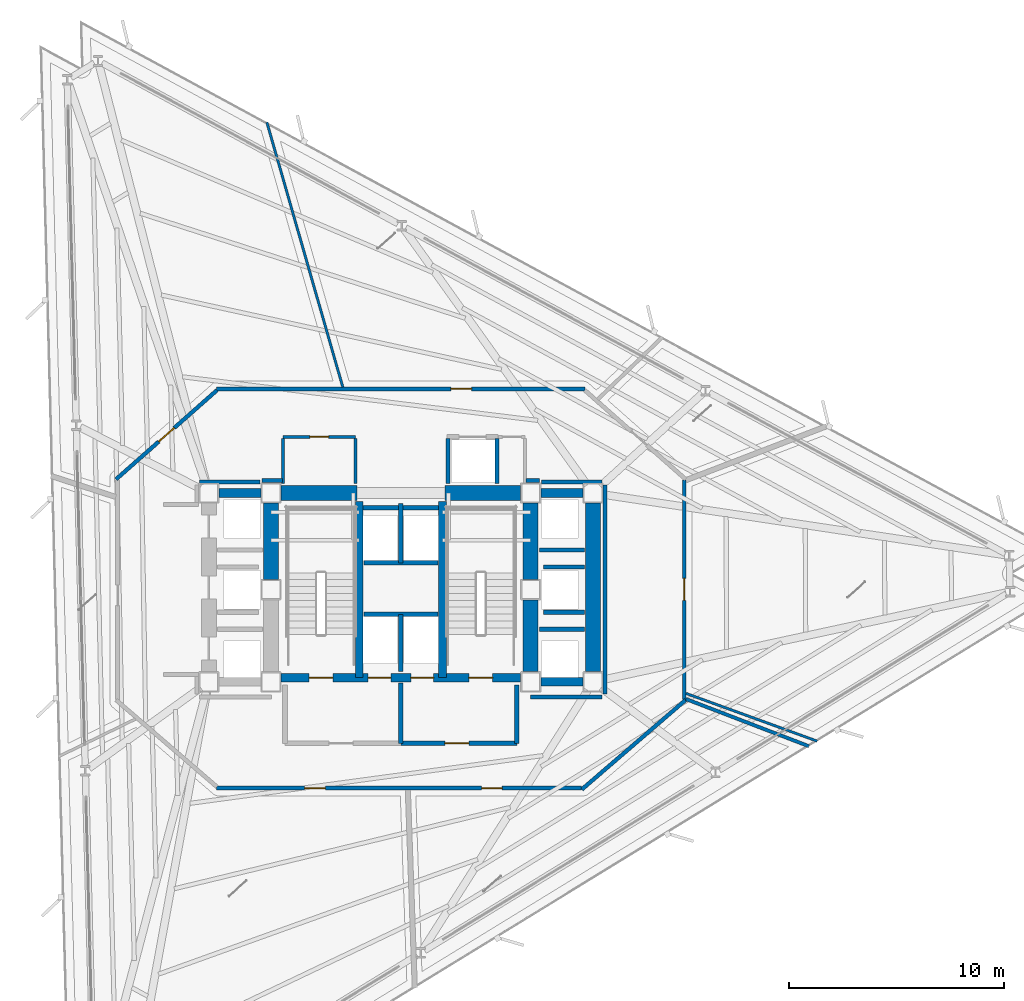
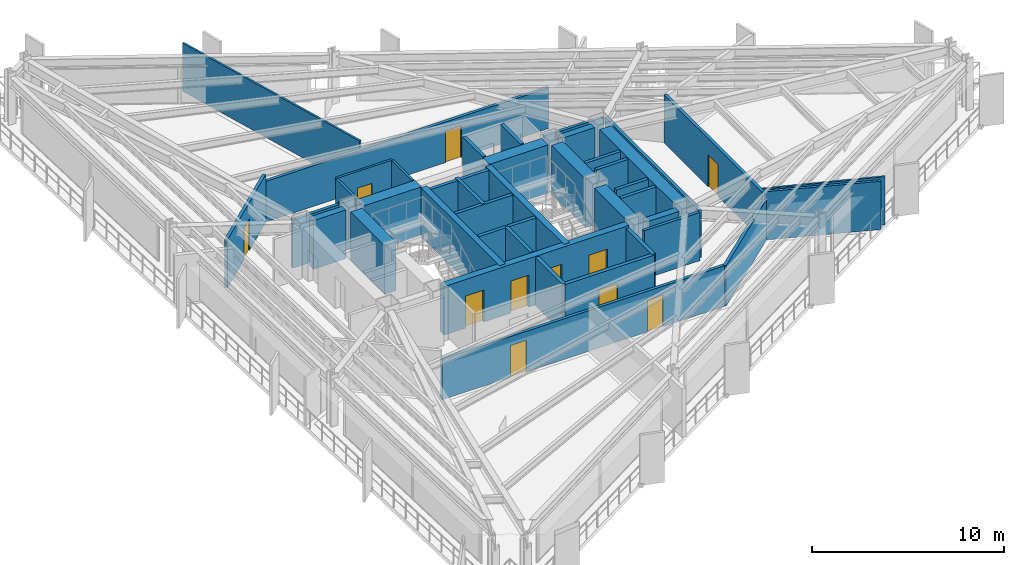
# One storey, part 8 of 14: 43 walls, 11 doors, 11 openings.
"""IFC4 building model written with IfcOpenShell, lengths in metres."""

from ifc_helpers import new_model, si_unit, direction, frame, frame_2d, origin, place, context, subcontext, project, spatial, rectangle, extrude, material, layer, layer_set, type_object, element, fill, save


model = new_model("IFC4")

# Units and contexts
model_context = context("Model", 3, precision=1e-05, world=origin(), true_north=direction((0.0, 1.0)))
body_context = subcontext(model_context, "Body", "Model", "MODEL_VIEW")
ifc_project = project(units=[si_unit("LENGTHUNIT", "METRE"), si_unit("AREAUNIT", "SQUARE_METRE"), si_unit("VOLUMEUNIT", "CUBIC_METRE"), si_unit("PLANEANGLEUNIT", "RADIAN"), si_unit("MASSUNIT", "GRAM", prefix="KILO")], contexts=[model_context])

# Site, building, storey
site_placement = place(None, origin())
site = spatial("IfcSite", under=ifc_project, at=site_placement, CompositionType="ELEMENT")
building_placement = place(site_placement, origin())
building = spatial("IfcBuilding", under=site, at=building_placement, Name="Rocaltana Carrier Exchange", CompositionType="ELEMENT")
storey_placement = place(building_placement, frame((0.0, 0.0, 22.239990234375)))
storey = spatial("IfcBuildingStorey", under=building, at=storey_placement, Name="L07", CompositionType="ELEMENT", Elevation=22.239990234375)

# Walls
ifc_material_1 = material(Name="Double Acoustic Gypsum Partition", Category="gypsum")
ifc_layer_1 = layer(ifc_material_1, 0.159912109375)
ifc_layer_set_1 = layer_set([ifc_layer_1], Name="Double Acoustic Gypsum Partition")
wall_type_1 = type_object("IfcWallType", Name="Acoustic Studio Partition 160 EI60", PredefinedType="PARTITIONING", material=ifc_layer_set_1)
wall_1_placement = place(storey_placement, frame((13.280029296875, -5.09765625, 0.0), z_axis=(0.0, 0.0, 1.0), x_axis=(0.933574999212, -0.358382087787, 0.0)))
element("IfcWall", 1, at=wall_1_placement, inside=storey, type_object=wall_type_1, Name="L07 Suite Divider Wall D3", PredefinedType="PARTITIONING", context=body_context, shape_type="SweptSolid", body=[
    extrude(rectangle(XDim=6.13916015625, YDim=0.159912109375, at=frame_2d((3.069580078125, 0.0))), origin(), (0.0, 0.0, 1.0), 3.072998046875),
])
ifc_material_2 = material(Name="Concrete C50/60", Category="concrete")
ifc_layer_2 = layer(ifc_material_2, 0.35009765625)
ifc_layer_set_2 = layer_set([ifc_layer_2], Name="Concrete C50/60")
wall_type_2 = type_object("IfcWallType", Name="Core Internal Shear Wall 350", PredefinedType="SHEAR", material=ifc_layer_set_2)
for number, where, z_axis, x_axis, name in (
    (2, (-1.93994140625, -4.10009765625, 0.0), (0.0, 0.0, 1.0), (0.0, 1.0, 0.0), "L07 Core Shear Wall CW-STW"),
    (3, (1.93994140625, -4.10009765625, 0.0), (0.0, 0.0, 1.0), (0.0, 1.0, 0.0), "L07 Core Shear Wall CW-STE"),
):
    element("IfcWall", number, at=place(storey_placement, frame(where, z_axis=z_axis, x_axis=x_axis)), inside=storey, type_object=wall_type_2, Name=name, PredefinedType="SHEAR", context=body_context, shape_type="SweptSolid", body=[
        extrude(rectangle(XDim=8.2001953125, YDim=0.35009765625, at=frame_2d((4.10009765625, 0.0))), origin(), (0.0, 0.0, 1.0), 3.097900390625),
    ])

# Wall, openings, doors
ifc_material_3 = material(Name="Concrete C50/60", Category="concrete")
ifc_layer_3 = layer(ifc_material_3, 0.39990234375)
ifc_layer_set_3 = layer_set([ifc_layer_3], Name="Concrete C50/60")
wall_type_3 = type_object("IfcWallType", Name="Core Internal Shear Wall 400", PredefinedType="SHEAR", material=ifc_layer_set_3)
wall_2_placement = place(storey_placement, frame((-5.574951171875, -4.10009765625, 0.0), z_axis=(0.0, 0.0, 1.0), x_axis=(1.0, 0.0, 0.0)))
wall_2 = element("IfcWall", 4, at=wall_2_placement, inside=storey, type_object=wall_type_3, Name="L07 Core Shear Wall CW-S", PredefinedType="SHEAR", context=body_context, shape_type="SweptSolid", body=[
    extrude(rectangle(XDim=11.14990234375, YDim=0.39990234375, at=frame_2d((5.574951171875, 0.0))), origin(), (0.0, 0.0, 1.0), 3.097900390625),
])
opening_1_placement = place(wall_2_placement, frame((1.304931640625, 0.0, 0.0)))
opening_1 = element("IfcOpeningElement", 5, at=opening_1_placement, cuts=wall_2, Name="Opening D-ST110", PredefinedType="OPENING", context=body_context, shape_type="SweptSolid", body=[
    extrude(rectangle(XDim=1.10009765625, YDim=2.0400390625, at=frame_2d((0.550048828125, 1.02001953125))), frame((0.0, 0.2099609375, 0.0), z_axis=(0.0, -1.0, 0.0), x_axis=(1.0, 0.0, 0.0)), (0.0, 0.0, 1.0), 0.419921875),
])
opening_2_placement = place(wall_2_placement, frame((8.7451171875, 0.0, 0.0)))
opening_2 = element("IfcOpeningElement", 6, at=opening_2_placement, cuts=wall_2, Name="Opening D-ST110", PredefinedType="OPENING", context=body_context, shape_type="SweptSolid", body=[
    extrude(rectangle(XDim=1.10009765625, YDim=2.0400390625, at=frame_2d((0.550048828125, 1.02001953125))), frame((0.0, 0.2099609375, 0.0), z_axis=(0.0, -1.0, 0.0), x_axis=(1.0, 0.0, 0.0)), (0.0, 0.0, 1.0), 0.419921875),
])
opening_3_placement = place(wall_2_placement, frame((4.044921875, 0.0, 0.0)))
opening_3 = element("IfcOpeningElement", 7, at=opening_3_placement, cuts=wall_2, Name="Opening LD-110", PredefinedType="OPENING", context=body_context, shape_type="SweptSolid", body=[
    extrude(rectangle(XDim=1.06005859375, YDim=2.0400390625, at=frame_2d((0.530029296875, 1.02001953125))), frame((0.0, 0.2099609375, 0.0), z_axis=(0.0, -1.0, 0.0), x_axis=(1.0, 0.0, 0.0)), (0.0, 0.0, 1.0), 0.419921875),
])
opening_4_placement = place(wall_2_placement, frame((6.044921875, 0.0, 0.0)))
opening_4 = element("IfcOpeningElement", 8, at=opening_4_placement, cuts=wall_2, Name="Opening LD-110", PredefinedType="OPENING", context=body_context, shape_type="SweptSolid", body=[
    extrude(rectangle(XDim=1.06005859375, YDim=2.0400390625, at=frame_2d((0.530029296875, 1.02001953125))), frame((0.0, 0.2099609375, 0.0), z_axis=(0.0, -1.0, 0.0), x_axis=(1.0, 0.0, 0.0)), (0.0, 0.0, 1.0), 0.419921875),
])
ifc_material_4 = material(Name="Hollow Metal Fire Door Assembly", Category="steel")
door_type_1 = type_object("IfcDoorType", Name="Exit Stair Fire Door 1100x2040 FD90S", OperationType="NOTDEFINED", PredefinedType="DOOR", material=ifc_material_4)
door_1_placement = place(opening_1_placement, origin())
door_1 = element("IfcDoor", 9, at=door_1_placement, inside=storey, type_object=door_type_1, Name="L07 Exit Stair ST1 Fire Door", OperationType="SINGLE_SWING_RIGHT", OverallHeight=2.0400390625, OverallWidth=1.10009765625, PredefinedType="DOOR", context=body_context, shape_type="SweptSolid", body=[
    extrude(rectangle(XDim=1.10009765625, YDim=2.0400390625, at=frame_2d((0.550048828125, 1.02001953125))), frame((0.0, 0.02490234375, 0.0), z_axis=(0.0, -1.0, 0.0), x_axis=(1.0, 0.0, 0.0)), (0.0, 0.0, 1.0), 0.050048828125),
])
fill(opening_1, door_1)
door_2_placement = place(opening_2_placement, origin())
door_2 = element("IfcDoor", 10, at=door_2_placement, inside=storey, type_object=door_type_1, Name="L07 Exit Stair ST2 Fire Door", OperationType="SINGLE_SWING_LEFT", OverallHeight=2.0400390625, OverallWidth=1.10009765625, PredefinedType="DOOR", context=body_context, shape_type="SweptSolid", body=[
    extrude(rectangle(XDim=1.10009765625, YDim=2.0400390625, at=frame_2d((0.550048828125, 1.02001953125))), frame((0.0, 0.02490234375, 0.0), z_axis=(0.0, -1.0, 0.0), x_axis=(1.0, 0.0, 0.0)), (0.0, 0.0, 1.0), 0.050048828125),
])
fill(opening_2, door_2)
ifc_material_5 = material(Name="Brushed Stainless Sliding Door Leaf", Category="steel")
door_type_2 = type_object("IfcDoorType", Name="Lift Landing Sliding Door 1060x2040", OperationType="NOTDEFINED", PredefinedType="DOOR", material=ifc_material_5)
door_3_placement = place(opening_3_placement, origin())
door_3 = element("IfcDoor", 11, at=door_3_placement, inside=storey, type_object=door_type_2, Name="L07 Firefighting Lift FFL1 Landing Door", OperationType="SLIDING_TO_LEFT", OverallHeight=2.0400390625, OverallWidth=1.06005859375, PredefinedType="DOOR", context=body_context, shape_type="SweptSolid", body=[
    extrude(rectangle(XDim=1.06005859375, YDim=2.0400390625, at=frame_2d((0.530029296875, 1.02001953125))), frame((0.0, 0.02490234375, 0.0), z_axis=(0.0, -1.0, 0.0), x_axis=(1.0, 0.0, 0.0)), (0.0, 0.0, 1.0), 0.050048828125),
])
fill(opening_3, door_3)
door_4_placement = place(opening_4_placement, origin())
door_4 = element("IfcDoor", 12, at=door_4_placement, inside=storey, type_object=door_type_2, Name="L07 Firefighting Lift FFL2 Landing Door", OperationType="SLIDING_TO_RIGHT", OverallHeight=2.0400390625, OverallWidth=1.06005859375, PredefinedType="DOOR", context=body_context, shape_type="SweptSolid", body=[
    extrude(rectangle(XDim=1.06005859375, YDim=2.0400390625, at=frame_2d((0.530029296875, 1.02001953125))), frame((0.0, 0.02490234375, 0.0), z_axis=(0.0, -1.0, 0.0), x_axis=(1.0, 0.0, 0.0)), (0.0, 0.0, 1.0), 0.050048828125),
])
fill(opening_4, door_4)

# Walls
for number, where, z_axis, x_axis, name in (
    (13, (-8.47509765625, 4.5, 0.0), (0.0, 0.0, 1.0), (1.0, 0.0, 0.0), "L07 Core Shear Wall CW-WWN"),
    (14, (6.52490234375, 4.5, 0.0), (0.0, 0.0, 1.0), (1.0, 0.0, 0.0), "L07 Core Shear Wall CW-EWN"),
    (15, (6.52490234375, -4.300048828125, 0.0), (0.0, 0.0, 1.0), (1.0, 0.0, 0.0), "L07 Core Shear Wall CW-EWS"),
):
    element("IfcWall", number, at=place(storey_placement, frame(where, z_axis=z_axis, x_axis=x_axis)), inside=storey, type_object=wall_type_3, Name=name, PredefinedType="SHEAR", context=body_context, shape_type="SweptSolid", body=[
        extrude(rectangle(XDim=1.9501953125, YDim=0.39990234375, at=frame_2d((0.97509765625, 0.0))), origin(), (0.0, 0.0, 1.0), 3.097900390625),
    ])
ifc_material_6 = material(Name="Concrete C60/75", Category="concrete")
ifc_layer_4 = layer(ifc_material_6, 0.699951171875)
ifc_layer_set_4 = layer_set([ifc_layer_4], Name="Concrete C60/75")
wall_type_4 = type_object("IfcWallType", Name="Core Shear Wall 700", PredefinedType="SHEAR", material=ifc_layer_set_4)
for number, where, z_axis, x_axis, name in (
    (16, (-6.050048828125, 0.47509765625, 0.0), (0.0, 0.0, 1.0), (0.0, 1.0, 0.0), "L07 Core Shear Wall CW-WN"),
    (17, (6.050048828125, 0.47509765625, 0.0), (0.0, 0.0, 1.0), (0.0, 1.0, 0.0), "L07 Core Shear Wall CW-EN"),
):
    element("IfcWall", number, at=place(storey_placement, frame(where, z_axis=z_axis, x_axis=x_axis)), inside=storey, type_object=wall_type_4, Name=name, PredefinedType="SHEAR", context=body_context, shape_type="SweptSolid", body=[
        extrude(rectangle(XDim=3.5498046875, YDim=0.699951171875, at=frame_2d((1.77490234375, 0.0))), origin(), (0.0, 0.0, 1.0), 3.097900390625),
    ])
wall_3_placement = place(storey_placement, frame((6.050048828125, -3.824951171875, 0.0), z_axis=(0.0, 0.0, 1.0), x_axis=(0.0, 1.0, 0.0)))
element("IfcWall", 18, at=wall_3_placement, inside=storey, type_object=wall_type_4, Name="L07 Core Shear Wall CW-ES", PredefinedType="SHEAR", context=body_context, shape_type="SweptSolid", body=[
    extrude(rectangle(XDim=3.349853515625, YDim=0.699951171875, at=frame_2d((1.6748046875, 0.0))), origin(), (0.0, 0.0, 1.0), 3.097900390625),
])
for number, where, z_axis, x_axis, name in (
    (19, (-5.574951171875, 4.5, 0.0), (0.0, 0.0, 1.0), (1.0, 0.0, 0.0), "L07 Core Shear Wall CW-N1"),
    (20, (2.050048828125, 4.5, 0.0), (0.0, 0.0, 1.0), (1.0, 0.0, 0.0), "L07 Core Shear Wall CW-N2"),
):
    element("IfcWall", number, at=place(storey_placement, frame(where, z_axis=z_axis, x_axis=x_axis)), inside=storey, type_object=wall_type_4, Name=name, PredefinedType="SHEAR", context=body_context, shape_type="SweptSolid", body=[
        extrude(rectangle(XDim=3.52490234375, YDim=0.699951171875, at=frame_2d((1.762451171875, 0.0))), origin(), (0.0, 0.0, 1.0), 3.097900390625),
    ])
wall_4_placement = place(storey_placement, frame((8.949951171875, -3.824951171875, 0.0), z_axis=(0.0, 0.0, 1.0), x_axis=(0.0, 1.0, 0.0)))
element("IfcWall", 21, at=wall_4_placement, inside=storey, type_object=wall_type_4, Name="L07 Core Shear Wall CW-EW", PredefinedType="SHEAR", context=body_context, shape_type="SweptSolid", body=[
    extrude(rectangle(XDim=7.849853515625, YDim=0.699951171875, at=frame_2d((3.9248046875, 0.0))), origin(), (0.0, 0.0, 1.0), 3.097900390625),
])

# Wall, opening, door
ifc_material_7 = material(Name="Gypsum & Steel Stud Partition", Category="steel")
ifc_layer_5 = layer(ifc_material_7, 0.179931640625)
ifc_layer_set_5 = layer_set([ifc_layer_5], Name="Gypsum & Steel Stud Partition")
wall_type_5 = type_object("IfcWallType", Name="Corridor Fire Partition 180 EI60", PredefinedType="PARTITIONING", material=ifc_layer_set_5)
wall_5_placement = place(storey_placement, frame((-8.590087890625, 9.35009765625, 0.0), z_axis=(0.0, 0.0, 1.0), x_axis=(1.0, 0.0, 0.0)))
wall_5 = element("IfcWall", 22, at=wall_5_placement, inside=storey, type_object=wall_type_5, Name="L07 Corridor Partition 1", PredefinedType="PARTITIONING", context=body_context, shape_type="SweptSolid", body=[
    extrude(rectangle(XDim=17.18017578125, YDim=0.179931640625, at=frame_2d((8.590087890625, 0.0))), origin(), (0.0, 0.0, 1.0), 2.5869140625),
])
opening_5_placement = place(wall_5_placement, frame((10.924072265625, 0.0, 0.0)))
opening_5 = element("IfcOpeningElement", 23, at=opening_5_placement, cuts=wall_5, Name="Opening D-RM098", PredefinedType="OPENING", context=body_context, shape_type="SweptSolid", body=[
    extrude(rectangle(XDim=0.9599609375, YDim=2.02001953125, at=frame_2d((0.47998046875, 1.010009765625))), frame((0.0, 0.099853515625, 0.0), z_axis=(0.0, -1.0, 0.0), x_axis=(1.0, 0.0, 0.0)), (0.0, 0.0, 1.0), 0.199951171875),
])
ifc_material_8 = material(Name="Engineered Hardwood Timber", Category="wood")
door_type_3 = type_object("IfcDoorType", Name="Workspace Single Door 960x2020", OperationType="NOTDEFINED", PredefinedType="DOOR", material=ifc_material_8)
door_5_placement = place(opening_5_placement, origin())
door_5 = element("IfcDoor", 24, at=door_5_placement, inside=storey, type_object=door_type_3, Name="L07 Network Operations Office Entrance Door", OperationType="SINGLE_SWING_LEFT", OverallHeight=2.02001953125, OverallWidth=0.9599609375, PredefinedType="DOOR", context=body_context, shape_type="SweptSolid", body=[
    extrude(rectangle(XDim=0.9599609375, YDim=2.02001953125, at=frame_2d((0.47998046875, 1.010009765625))), frame((0.0, 0.02490234375, 0.0), z_axis=(0.0, -1.0, 0.0), x_axis=(1.0, 0.0, 0.0)), (0.0, 0.0, 1.0), 0.050048828125),
])
fill(opening_5, door_5)

wall_6_placement = place(storey_placement, frame((13.199951171875, 5.110107421875, 0.0), z_axis=(0.0, 0.0, 1.0), x_axis=(0.0, -1.0, 0.0)))
wall_6 = element("IfcWall", 25, at=wall_6_placement, inside=storey, type_object=wall_type_5, Name="L07 Corridor Partition 3", PredefinedType="PARTITIONING", context=body_context, shape_type="SweptSolid", body=[
    extrude(rectangle(XDim=10.22021484375, YDim=0.179931640625, at=frame_2d((5.110107421875, 0.0))), origin(), (0.0, 0.0, 1.0), 3.072998046875),
])
opening_6_placement = place(wall_6_placement, frame((4.5908203125, 0.0, 0.0)))
opening_6 = element("IfcOpeningElement", 26, at=opening_6_placement, cuts=wall_6, Name="Opening D-LB104", PredefinedType="OPENING", context=body_context, shape_type="SweptSolid", body=[
    extrude(rectangle(XDim=1.02001953125, YDim=2.02001953125, at=frame_2d((0.510009765625, 1.010009765625))), frame((0.0, 0.099853515625, 0.0), z_axis=(0.0, -1.0, 0.0), x_axis=(1.0, 0.0, 0.0)), (0.0, 0.0, 1.0), 0.199951171875),
])
ifc_material_9 = material(Name="Powder-Coated Aluminium 6063-T6", Category="aluminium")
door_type_4 = type_object("IfcDoorType", Name="Laboratory Acoustic Door 1020x2020", OperationType="NOTDEFINED", PredefinedType="DOOR", material=ifc_material_9)
door_6_placement = place(opening_6_placement, origin())
door_6 = element("IfcDoor", 27, at=door_6_placement, inside=storey, type_object=door_type_4, Name="L07 Optical Switching Laboratory Entrance Door", OperationType="SINGLE_SWING_LEFT", OverallHeight=2.02001953125, OverallWidth=1.02001953125, PredefinedType="DOOR", context=body_context, shape_type="SweptSolid", body=[
    extrude(rectangle(XDim=1.02001953125, YDim=2.02001953125, at=frame_2d((0.510009765625, 1.010009765625))), frame((0.0, 0.02490234375, 0.0), z_axis=(0.0, -1.0, 0.0), x_axis=(1.0, 0.0, 0.0)), (0.0, 0.0, 1.0), 0.050048828125),
])
fill(opening_6, door_6)

# Wall
wall_7_placement = place(storey_placement, frame((13.268310546875, -5.14111328125, 0.0), z_axis=(0.0, 0.0, 1.0), x_axis=(-0.757534501725, -0.65279512766, 0.0)))
element("IfcWall", 28, at=wall_7_placement, inside=storey, type_object=wall_type_5, Name="L07 Corridor Partition 4", PredefinedType="PARTITIONING", context=body_context, shape_type="SweptSolid", body=[
    extrude(rectangle(XDim=6.384521484375, YDim=0.179931640625, at=frame_2d((3.1923828125, 0.0))), origin(), (0.0, 0.0, 1.0), 2.5869140625),
])

# Wall, openings, doors
wall_8_placement = place(storey_placement, frame((8.409912109375, -9.25, 0.0), z_axis=(0.0, 0.0, 1.0), x_axis=(-1.0, 0.0, 0.0)))
wall_8 = element("IfcWall", 29, at=wall_8_placement, inside=storey, type_object=wall_type_5, Name="L07 Corridor Partition 5", PredefinedType="PARTITIONING", context=body_context, shape_type="SweptSolid", body=[
    extrude(rectangle(XDim=17.0, YDim=0.179931640625, at=frame_2d((8.5, 0.0))), origin(), (0.0, 0.0, 1.0), 2.5869140625),
])
opening_7_placement = place(wall_8_placement, frame((11.931884765625, 0.0, 0.0)))
opening_7 = element("IfcOpeningElement", 30, at=opening_7_placement, cuts=wall_8, Name="Opening D-RM098", PredefinedType="OPENING", context=body_context, shape_type="SweptSolid", body=[
    extrude(rectangle(XDim=0.9599609375, YDim=2.02001953125, at=frame_2d((0.47998046875, 1.010009765625))), frame((0.0, 0.099853515625, 0.0), z_axis=(0.0, -1.0, 0.0), x_axis=(1.0, 0.0, 0.0)), (0.0, 0.0, 1.0), 0.199951171875),
])
opening_8_placement = place(wall_8_placement, frame((3.692138671875, 0.0, 0.0)))
opening_8 = element("IfcOpeningElement", 31, at=opening_8_placement, cuts=wall_8, Name="Opening D-RM098", PredefinedType="OPENING", context=body_context, shape_type="SweptSolid", body=[
    extrude(rectangle(XDim=0.9599609375, YDim=2.02001953125, at=frame_2d((0.47998046875, 1.010009765625))), frame((0.0, 0.099853515625, 0.0), z_axis=(0.0, -1.0, 0.0), x_axis=(1.0, 0.0, 0.0)), (0.0, 0.0, 1.0), 0.199951171875),
])
door_7_placement = place(opening_7_placement, origin())
door_7 = element("IfcDoor", 32, at=door_7_placement, inside=storey, type_object=door_type_3, Name="L07 Network Operations Office Entrance Door", OperationType="SINGLE_SWING_LEFT", OverallHeight=2.02001953125, OverallWidth=0.9599609375, PredefinedType="DOOR", context=body_context, shape_type="SweptSolid", body=[
    extrude(rectangle(XDim=0.9599609375, YDim=2.02001953125, at=frame_2d((0.47998046875, 1.010009765625))), frame((0.0, 0.02490234375, 0.0), z_axis=(0.0, -1.0, 0.0), x_axis=(1.0, 0.0, 0.0)), (0.0, 0.0, 1.0), 0.050048828125),
])
fill(opening_7, door_7)
door_8_placement = place(opening_8_placement, origin())
door_8 = element("IfcDoor", 33, at=door_8_placement, inside=storey, type_object=door_type_3, Name="L07 Cloud Architecture Office Entrance Door", OperationType="SINGLE_SWING_RIGHT", OverallHeight=2.02001953125, OverallWidth=0.9599609375, PredefinedType="DOOR", context=body_context, shape_type="SweptSolid", body=[
    extrude(rectangle(XDim=0.9599609375, YDim=2.02001953125, at=frame_2d((0.47998046875, 1.010009765625))), frame((0.0, 0.02490234375, 0.0), z_axis=(0.0, -1.0, 0.0), x_axis=(1.0, 0.0, 0.0)), (0.0, 0.0, 1.0), 0.050048828125),
])
fill(opening_8, door_8)

# Wall, opening, door
wall_9_placement = place(storey_placement, frame((-13.267578125, 5.140380859375, 0.0), z_axis=(0.0, 0.0, 1.0), x_axis=(0.749626463267, 0.66186113768, 0.0)))
wall_9 = element("IfcWall", 34, at=wall_9_placement, inside=storey, type_object=wall_type_5, Name="L07 Corridor Partition 8", PredefinedType="PARTITIONING", context=body_context, shape_type="SweptSolid", body=[
    extrude(rectangle(XDim=6.27001953125, YDim=0.179931640625, at=frame_2d((3.135009765625, 0.0))), origin(), (0.0, 0.0, 1.0), 3.072998046875),
])
opening_9_placement = place(wall_9_placement, frame((2.655029296875, 0.0, 0.0)))
opening_9 = element("IfcOpeningElement", 35, at=opening_9_placement, cuts=wall_9, Name="Opening D-RM098", PredefinedType="OPENING", context=body_context, shape_type="SweptSolid", body=[
    extrude(rectangle(XDim=0.9599609375, YDim=2.02001953125, at=frame_2d((0.47998046875, 1.010009765625))), frame((0.0, 0.099853515625, 0.0), z_axis=(0.0, -1.0, 0.0), x_axis=(1.0, 0.0, 0.0)), (0.0, 0.0, 1.0), 0.199951171875),
])
door_9_placement = place(opening_9_placement, origin())
door_9 = element("IfcDoor", 36, at=door_9_placement, inside=storey, type_object=door_type_3, Name="L07 Quiet Focus Lounge Entrance Door", OperationType="SINGLE_SWING_RIGHT", OverallHeight=2.02001953125, OverallWidth=0.9599609375, PredefinedType="DOOR", context=body_context, shape_type="SweptSolid", body=[
    extrude(rectangle(XDim=0.9599609375, YDim=2.02001953125, at=frame_2d((0.47998046875, 1.010009765625))), frame((0.0, 0.02490234375, 0.0), z_axis=(0.0, -1.0, 0.0), x_axis=(1.0, 0.0, 0.0)), (0.0, 0.0, 1.0), 0.050048828125),
])
fill(opening_9, door_9)

# Walls
wall_10_placement = place(storey_placement, frame((6.030029296875, -5.010009765625, 0.0), z_axis=(0.0, 0.0, 1.0), x_axis=(1.0, 0.0, 0.0)))
element("IfcWall", 37, at=wall_10_placement, inside=storey, type_object=wall_type_5, Name="L07 Corridor Partition 16", PredefinedType="PARTITIONING", context=body_context, shape_type="SweptSolid", body=[
    extrude(rectangle(XDim=3.340087890625, YDim=0.179931640625, at=frame_2d((1.669921875, 0.0))), origin(), (0.0, 0.0, 1.0), 3.072998046875),
])
wall_11_placement = place(storey_placement, frame((9.510009765625, -4.8701171875, 0.0), z_axis=(0.0, 0.0, 1.0), x_axis=(0.0, 1.0, 0.0)))
element("IfcWall", 38, at=wall_11_placement, inside=storey, type_object=wall_type_5, Name="L07 Corridor Partition 17", PredefinedType="PARTITIONING", context=body_context, shape_type="SweptSolid", body=[
    extrude(rectangle(XDim=9.740234375, YDim=0.179931640625, at=frame_2d((4.8701171875, 0.0))), origin(), (0.0, 0.0, 1.0), 3.072998046875),
])
wall_12_placement = place(storey_placement, frame((9.3701171875, 5.010009765625, 0.0), z_axis=(0.0, 0.0, 1.0), x_axis=(-1.0, 0.0, 0.0)))
element("IfcWall", 39, at=wall_12_placement, inside=storey, type_object=wall_type_5, Name="L07 Corridor Partition 18", PredefinedType="PARTITIONING", context=body_context, shape_type="SweptSolid", body=[
    extrude(rectangle(XDim=2.807861328125, YDim=0.179931640625, at=frame_2d((1.40380859375, 0.0))), origin(), (0.0, 0.0, 1.0), 3.072998046875),
])
wall_13_placement = place(storey_placement, frame((6.469970703125, 5.080078125, 0.0), z_axis=(0.0, 0.0, 1.0), x_axis=(-1.0, 0.0, 0.0)))
element("IfcWall", 40, at=wall_13_placement, inside=storey, type_object=wall_type_5, Name="L07 Corridor Partition 19", PredefinedType="PARTITIONING", context=body_context, shape_type="SweptSolid", body=[
    extrude(rectangle(XDim=0.64990234375, YDim=0.179931640625, at=frame_2d((0.324951171875, 0.0))), origin(), (0.0, 0.0, 1.0), 3.072998046875),
])
wall_14_placement = place(storey_placement, frame((-5.52001953125, 5.080078125, 0.0), z_axis=(0.0, 0.0, 1.0), x_axis=(-1.0, 0.0, 0.0)))
element("IfcWall", 41, at=wall_14_placement, inside=storey, type_object=wall_type_5, Name="L07 Corridor Partition 22", PredefinedType="PARTITIONING", context=body_context, shape_type="SweptSolid", body=[
    extrude(rectangle(XDim=0.949951171875, YDim=0.179931640625, at=frame_2d((0.47509765625, 0.0))), origin(), (0.0, 0.0, 1.0), 3.072998046875),
])
wall_15_placement = place(storey_placement, frame((-6.562255859375, 5.010009765625, 0.0), z_axis=(0.0, 0.0, 1.0), x_axis=(-1.0, 0.0, 0.0)))
element("IfcWall", 42, at=wall_15_placement, inside=storey, type_object=wall_type_5, Name="L07 Corridor Partition 23", PredefinedType="PARTITIONING", context=body_context, shape_type="SweptSolid", body=[
    extrude(rectangle(XDim=2.807861328125, YDim=0.179931640625, at=frame_2d((1.40380859375, 0.0))), origin(), (0.0, 0.0, 1.0), 3.072998046875),
])
ifc_material_10 = material(Name="Aluminium 6063-T6 & Acoustic Glass", Category="aluminium")
ifc_layer_6 = layer(ifc_material_10, 0.114990234375)
ifc_layer_set_6 = layer_set([ifc_layer_6], Name="Aluminium 6063-T6 & Acoustic Glass")
wall_type_6 = type_object("IfcWallType", Name="Demountable Glazed Lab Partition 115", PredefinedType="MOVABLE", material=ifc_layer_set_6)
wall_16_placement = place(storey_placement, frame((13.280029296875, -4.83349609375, 0.0), z_axis=(0.0, 0.0, 1.0), x_axis=(0.939690475906, -0.342026036278, 0.0)))
element("IfcWall", 43, at=wall_16_placement, inside=storey, type_object=wall_type_6, Name="L07 Suite Divider Wall D4", PredefinedType="MOVABLE", context=body_context, shape_type="SweptSolid", body=[
    extrude(rectangle(XDim=6.51123046875, YDim=0.114990234375, at=frame_2d((3.255615234375, 0.0))), origin(), (0.0, 0.0, 1.0), 3.072998046875),
])
wall_17_placement = place(storey_placement, frame((-2.7041015625, 9.429931640625, 0.0), z_axis=(0.0, 0.0, 1.0), x_axis=(-0.275627518328, 0.961264516738, 0.0)))
element("IfcWall", 44, at=wall_17_placement, inside=storey, type_object=wall_type_6, Name="L07 Suite Divider Wall D7", PredefinedType="MOVABLE", context=body_context, shape_type="SweptSolid", body=[
    extrude(rectangle(XDim=12.8408203125, YDim=0.114990234375, at=frame_2d((6.42041015625, 0.0))), origin(), (0.0, 0.0, 1.0), 3.072998046875),
])
ifc_material_11 = material(Name="Autoclaved Aerated Concrete C30/37", Category="concrete")
ifc_layer_7 = layer(ifc_material_11, 0.219970703125)
ifc_layer_set_7 = layer_set([ifc_layer_7], Name="Autoclaved Aerated Concrete C30/37")
wall_type_7 = type_object("IfcWallType", Name="Firefighting Lobby Wall 220 EI120", PredefinedType="PARTITIONING", material=ifc_layer_set_7)
wall_18_placement = place(storey_placement, frame((5.39990234375, -7.159912109375, 0.0), z_axis=(0.0, 0.0, 1.0), x_axis=(0.0, 1.0, 0.0)))
element("IfcWall", 45, at=wall_18_placement, inside=storey, type_object=wall_type_7, Name="L07 FFL Lobby 2 East Wall", PredefinedType="PARTITIONING", context=body_context, shape_type="SweptSolid", body=[
    extrude(rectangle(XDim=2.7099609375, YDim=0.219970703125, at=frame_2d((1.35498046875, 0.0))), origin(), (0.0, 0.0, 1.0), 3.072998046875),
])
wall_19_placement = place(storey_placement, frame((0.0, -7.159912109375, 0.0), z_axis=(0.0, 0.0, 1.0), x_axis=(0.0, 1.0, 0.0)))
element("IfcWall", 46, at=wall_19_placement, inside=storey, type_object=wall_type_7, Name="L07 FFL Lobby Centre Wall", PredefinedType="PARTITIONING", context=body_context, shape_type="SweptSolid", body=[
    extrude(rectangle(XDim=2.809814453125, YDim=0.219970703125, at=frame_2d((1.40478515625, 0.0))), origin(), (0.0, 0.0, 1.0), 3.072998046875),
])

# Wall, opening, door
wall_20_placement = place(storey_placement, frame((0.0, -7.159912109375, 0.0), z_axis=(0.0, 0.0, 1.0), x_axis=(1.0, 0.0, 0.0)))
wall_20 = element("IfcWall", 47, at=wall_20_placement, inside=storey, type_object=wall_type_7, Name="L07 FFL Lobby 2 South Wall", PredefinedType="PARTITIONING", context=body_context, shape_type="SweptSolid", body=[
    extrude(rectangle(XDim=5.39990234375, YDim=0.219970703125, at=frame_2d((2.699951171875, 0.0))), origin(), (0.0, 0.0, 1.0), 3.072998046875),
])
opening_10_placement = place(wall_20_placement, frame((2.050048828125, 0.0, 0.0)))
opening_10 = element("IfcOpeningElement", 48, at=opening_10_placement, cuts=wall_20, Name="Opening D-FF115", PredefinedType="OPENING", context=body_context, shape_type="SweptSolid", body=[
    extrude(rectangle(XDim=1.1201171875, YDim=2.02001953125, at=frame_2d((0.56005859375, 1.010009765625))), frame((0.0, 0.119873046875, 0.0), z_axis=(0.0, -1.0, 0.0), x_axis=(1.0, 0.0, 0.0)), (0.0, 0.0, 1.0), 0.239990234375),
])
ifc_material_12 = material(Name="Hollow Metal Fire Door Assembly", Category="steel")
door_type_5 = type_object("IfcDoorType", Name="Firefighting Lobby Door 1120x2020 FD60S", OperationType="NOTDEFINED", PredefinedType="DOOR", material=ifc_material_12)
door_10_placement = place(opening_10_placement, origin())
door_10 = element("IfcDoor", 49, at=door_10_placement, inside=storey, type_object=door_type_5, Name="L07 Firefighting Lift Lobby 2 Door", OperationType="SINGLE_SWING_LEFT", OverallHeight=2.02001953125, OverallWidth=1.1201171875, PredefinedType="DOOR", context=body_context, shape_type="SweptSolid", body=[
    extrude(rectangle(XDim=1.1201171875, YDim=2.02001953125, at=frame_2d((0.56005859375, 1.010009765625))), frame((0.0, 0.02490234375, 0.0), z_axis=(0.0, -1.0, 0.0), x_axis=(1.0, 0.0, 0.0)), (0.0, 0.0, 1.0), 0.050048828125),
])
fill(opening_10, door_10)

# Walls
ifc_material_13 = material(Name="Reinforced Concrete Block C35/45", Category="concrete")
ifc_layer_8 = layer(ifc_material_13, 0.199951171875)
ifc_layer_set_8 = layer_set([ifc_layer_8], Name="Reinforced Concrete Block C35/45")
wall_type_8 = type_object("IfcWallType", Name="Lift Hoistway Enclosure Wall 200 EI120", PredefinedType="PARTITIONING", material=ifc_layer_set_8)
wall_21_placement = place(storey_placement, frame((0.0, -3.820068359375, 0.0), z_axis=(0.0, 0.0, 1.0), x_axis=(0.0, 1.0, 0.0)))
element("IfcWall", 50, at=wall_21_placement, inside=storey, type_object=wall_type_8, Name="L07 FFL Shaft Divider", PredefinedType="PARTITIONING", context=body_context, shape_type="SweptSolid", body=[
    extrude(rectangle(XDim=2.670166015625, YDim=0.199951171875, at=frame_2d((1.3349609375, 0.0))), origin(), (0.0, 0.0, 1.0), 3.072998046875),
])
wall_22_placement = place(storey_placement, frame((-1.719970703125, -1.14990234375, 0.0), z_axis=(0.0, 0.0, 1.0), x_axis=(1.0, 0.0, 0.0)))
element("IfcWall", 51, at=wall_22_placement, inside=storey, type_object=wall_type_8, Name="L07 FFL Shaft Back Wall", PredefinedType="PARTITIONING", context=body_context, shape_type="SweptSolid", body=[
    extrude(rectangle(XDim=3.43994140625, YDim=0.199951171875, at=frame_2d((1.719970703125, 0.0))), origin(), (0.0, 0.0, 1.0), 3.072998046875),
])
wall_23_placement = place(storey_placement, frame((0.0, 1.25, 0.0), z_axis=(0.0, 0.0, 1.0), x_axis=(0.0, 1.0, 0.0)))
element("IfcWall", 52, at=wall_23_placement, inside=storey, type_object=wall_type_8, Name="L07 High-Rise Shaft Divider", PredefinedType="PARTITIONING", context=body_context, shape_type="SweptSolid", body=[
    extrude(rectangle(XDim=2.77001953125, YDim=0.199951171875, at=frame_2d((1.385009765625, 0.0))), origin(), (0.0, 0.0, 1.0), 3.072998046875),
])
wall_24_placement = place(storey_placement, frame((-1.719970703125, 1.25, 0.0), z_axis=(0.0, 0.0, 1.0), x_axis=(1.0, 0.0, 0.0)))
element("IfcWall", 53, at=wall_24_placement, inside=storey, type_object=wall_type_8, Name="L07 High-Rise Shaft Back Wall", PredefinedType="PARTITIONING", context=body_context, shape_type="SweptSolid", body=[
    extrude(rectangle(XDim=3.43994140625, YDim=0.199951171875, at=frame_2d((1.719970703125, 0.0))), origin(), (0.0, 0.0, 1.0), 3.072998046875),
])
wall_25_placement = place(storey_placement, frame((-1.760009765625, 3.820068359375, 0.0), z_axis=(0.0, 0.0, 1.0), x_axis=(1.0, 0.0, 0.0)))
element("IfcWall", 54, at=wall_25_placement, inside=storey, type_object=wall_type_8, Name="L07 High-Rise Lift Front Wall", PredefinedType="PARTITIONING", context=body_context, shape_type="SweptSolid", body=[
    extrude(rectangle(XDim=3.52001953125, YDim=0.199951171875, at=frame_2d((1.760009765625, 0.0))), origin(), (0.0, 0.0, 1.0), 3.072998046875),
])
for number, where, z_axis, x_axis, name in (
    (55, (2.199951171875, 4.949951171875, 0.0), (0.0, 0.0, 1.0), (0.0, 1.0, 0.0), "L07 Goods Lift West Wall"),
    (56, (4.47998046875, 4.949951171875, 0.0), (0.0, 0.0, 1.0), (0.0, 1.0, 0.0), "L07 Goods Lift East Wall"),
    (57, (6.449951171875, -1.85009765625, 0.0), (0.0, 0.0, 1.0), (1.0, 0.0, 0.0), "L07 Mid-Rise Shaft Divider 1"),
    (58, (6.449951171875, 1.85009765625, 0.0), (0.0, 0.0, 1.0), (1.0, 0.0, 0.0), "L07 Mid-Rise Shaft Divider 2"),
):
    element("IfcWall", number, at=place(storey_placement, frame(where, z_axis=z_axis, x_axis=x_axis)), inside=storey, type_object=wall_type_8, Name=name, PredefinedType="PARTITIONING", context=body_context, shape_type="SweptSolid", body=[
        extrude(rectangle(XDim=2.10009765625, YDim=0.199951171875, at=frame_2d((1.050048828125, 0.0))), origin(), (0.0, 0.0, 1.0), 3.072998046875),
    ])
for number, where, z_axis, x_axis, name in (
    (59, (6.639892578125, -1.050048828125, 0.0), (0.0, 0.0, 1.0), (1.0, 0.0, 0.0), "L07 Mid-Rise Center Shaft Wall South"),
    (60, (6.639892578125, 1.050048828125, 0.0), (0.0, 0.0, 1.0), (1.0, 0.0, 0.0), "L07 Mid-Rise Center Shaft Wall North"),
):
    element("IfcWall", number, at=place(storey_placement, frame(where, z_axis=z_axis, x_axis=x_axis)), inside=storey, type_object=wall_type_8, Name=name, PredefinedType="PARTITIONING", context=body_context, shape_type="SweptSolid", body=[
        extrude(rectangle(XDim=1.91015625, YDim=0.199951171875, at=frame_2d((0.955078125, 0.0))), origin(), (0.0, 0.0, 1.0), 3.072998046875),
    ])
ifc_material_14 = material(Name="Moisture-Resistant Masonry C30/37", Category="masonry")
ifc_layer_9 = layer(ifc_material_14, 0.139892578125)
ifc_layer_set_9 = layer_set([ifc_layer_9], Name="Moisture-Resistant Masonry C30/37")
wall_type_9 = type_object("IfcWallType", Name="Wet-Area Sanitary Partition 140", PredefinedType="PARTITIONING", material=ifc_layer_set_9)
for number, where, z_axis, x_axis, name in (
    (61, (-5.47998046875, 4.949951171875, 0.0), (0.0, 0.0, 1.0), (0.0, 1.0, 0.0), "L07 Sanitary West Wall"),
    (62, (-2.1201171875, 4.949951171875, 0.0), (0.0, 0.0, 1.0), (0.0, 1.0, 0.0), "L07 Sanitary East Wall"),
):
    element("IfcWall", number, at=place(storey_placement, frame(where, z_axis=z_axis, x_axis=x_axis)), inside=storey, type_object=wall_type_9, Name=name, PredefinedType="PARTITIONING", context=body_context, shape_type="SweptSolid", body=[
        extrude(rectangle(XDim=2.10009765625, YDim=0.139892578125, at=frame_2d((1.050048828125, 0.0))), origin(), (0.0, 0.0, 1.0), 3.072998046875),
    ])

# Wall, opening, door
wall_26_placement = place(storey_placement, frame((-5.47998046875, 7.1201171875, 0.0), z_axis=(0.0, 0.0, 1.0), x_axis=(1.0, 0.0, 0.0)))
wall_26 = element("IfcWall", 63, at=wall_26_placement, inside=storey, type_object=wall_type_9, Name="L07 Sanitary North Wall", PredefinedType="PARTITIONING", context=body_context, shape_type="SweptSolid", body=[
    extrude(rectangle(XDim=3.35986328125, YDim=0.139892578125, at=frame_2d((1.679931640625, 0.0))), origin(), (0.0, 0.0, 1.0), 3.072998046875),
])
opening_11_placement = place(wall_26_placement, frame((1.239990234375, 0.0, 0.0)))
opening_11 = element("IfcOpeningElement", 64, at=opening_11_placement, cuts=wall_26, Name="Opening D-WC090", PredefinedType="OPENING", context=body_context, shape_type="SweptSolid", body=[
    extrude(rectangle(XDim=0.8798828125, YDim=2.02001953125, at=frame_2d((0.43994140625, 1.010009765625))), frame((0.0, 0.079833984375, 0.0), z_axis=(0.0, -1.0, 0.0), x_axis=(1.0, 0.0, 0.0)), (0.0, 0.0, 1.0), 0.159912109375),
])
ifc_material_15 = material(Name="High-Pressure Laminate Timber", Category="wood")
door_type_6 = type_object("IfcDoorType", Name="Restroom & Accessible WC Door 880x2020", OperationType="NOTDEFINED", PredefinedType="DOOR", material=ifc_material_15)
door_11_placement = place(opening_11_placement, origin())
door_11 = element("IfcDoor", 65, at=door_11_placement, inside=storey, type_object=door_type_6, Name="L07 Accessible Toilet Door", OperationType="SINGLE_SWING_RIGHT", OverallHeight=2.02001953125, OverallWidth=0.8798828125, PredefinedType="DOOR", context=body_context, shape_type="SweptSolid", body=[
    extrude(rectangle(XDim=0.8798828125, YDim=2.02001953125, at=frame_2d((0.43994140625, 1.010009765625))), frame((0.0, 0.02490234375, 0.0), z_axis=(0.0, -1.0, 0.0), x_axis=(1.0, 0.0, 0.0)), (0.0, 0.0, 1.0), 0.050048828125),
])
fill(opening_11, door_11)

save(model, "model.ifc")
